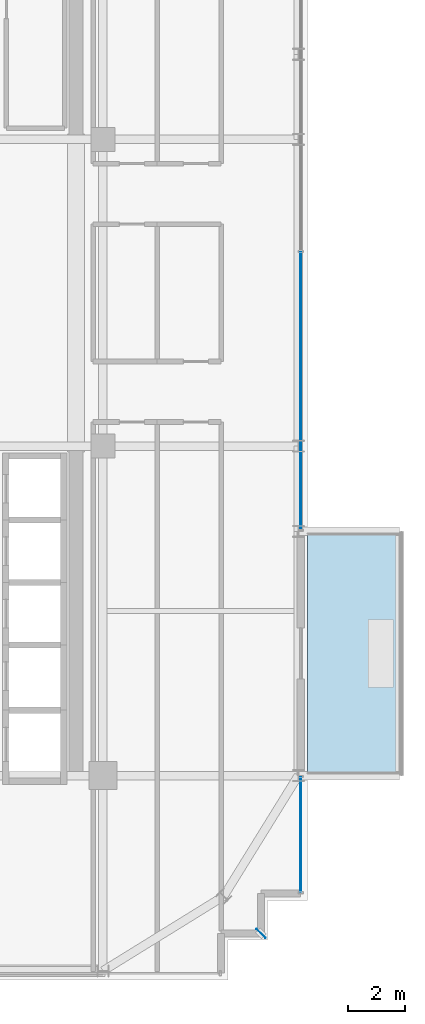
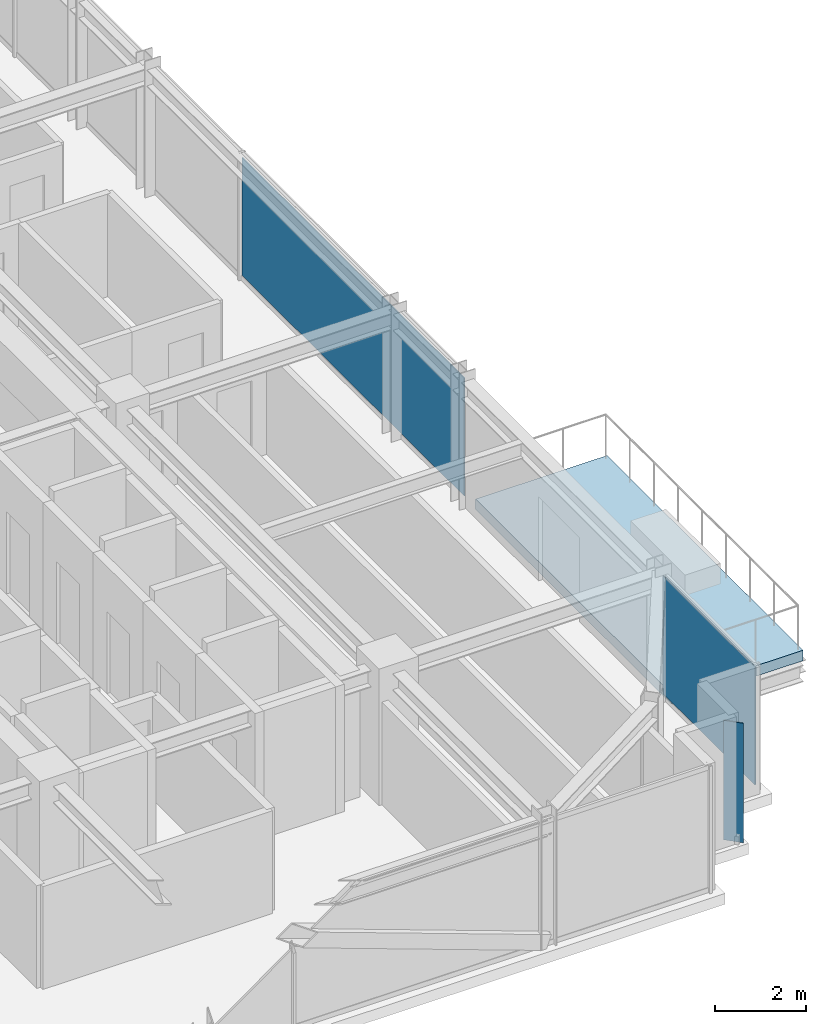
# One storey, part 31 of 43: 3 plates, 1 slab, 2 elements without a shape of their own.
"""IFC4 building model written with IfcOpenShell, lengths in metres."""

import ifcopenshell
import ifcopenshell.guid

model = None  # the IFC model being written
_history = None  # IfcOwnerHistory: only IFC2X3 demands one
_inside = {}  # id of a spatial element -> (the spatial element, [elements in it])
_under = {}  # id of a project, library or spatial element -> (it, [spatial elements below it])
_declared = {}  # id of a project -> (the project, [libraries it declares])
_typed = {}  # id of a type object -> (the type object, [elements of that type])
_made_of = {}  # id of a material, layer set ... -> (it, [elements and type objects made of it])


def new_model(schema):
    """Start an empty IFC model of exactly this schema.

    Asked for "IFC4X3", IfcOpenShell would pick the latest addendum, in which some entities
    have other attributes; the version numbers below select the first issue.
    IFC2X3 requires an IfcOwnerHistory on every rooted entity: one is made here for all.
    """
    global model, _history
    if schema == "IFC4X3":
        model = ifcopenshell.file(schema_version=(4, 3, 0, 0))
    else:
        model = ifcopenshell.file(schema=schema)
    _inside.clear()
    _under.clear()
    _declared.clear()
    _typed.clear()
    _made_of.clear()
    _history = None
    if model.schema == "IFC2X3":
        org = make("IfcOrganization", Name="unknown")
        user = make(
            "IfcPersonAndOrganization",
            ThePerson=make("IfcPerson", FamilyName="unknown"),
            TheOrganization=org,
        )
        app = make(
            "IfcApplication",
            ApplicationDeveloper=org,
            Version="unknown",
            ApplicationFullName="unknown",
            ApplicationIdentifier="unknown",
        )
        _history = make(
            "IfcOwnerHistory",
            OwningUser=user,
            OwningApplication=app,
            ChangeAction="ADDED",
            CreationDate=0,
        )
    return model


def make(cls, **values):
    """One entity of the class cls with the attributes given. An attribute that is None is left unset."""
    return model.create_entity(
        cls, **{name: value for name, value in values.items() if value is not None}
    )


def rooted(cls, **values):
    """An entity with a GlobalId (a new one), such as an element, a storey or a relation."""
    return make(cls, GlobalId=ifcopenshell.guid.new(), OwnerHistory=_history, **values)


def si_unit(unit_type, name, prefix=None):
    """IfcSIUnit, for example si_unit("LENGTHUNIT", "METRE", prefix="MILLI")."""
    return make("IfcSIUnit", UnitType=unit_type, Prefix=prefix, Name=name)


def assignment(units):
    """IfcUnitAssignment: the units of a project."""
    return None if units is None else make("IfcUnitAssignment", Units=units)


def point(xyz):
    """IfcCartesianPoint."""
    return None if xyz is None else make("IfcCartesianPoint", Coordinates=xyz)


def direction(xyz):
    """IfcDirection."""
    return None if xyz is None else make("IfcDirection", DirectionRatios=xyz)


def frame(location, z_axis=None, x_axis=None):
    """IfcAxis2Placement3D, a coordinate frame: its origin and axes. An axis left out is left unset."""
    return make(
        "IfcAxis2Placement3D",
        Location=point(location),
        Axis=direction(z_axis),
        RefDirection=direction(x_axis),
    )


def frame_2d(location, x_axis=None):
    """IfcAxis2Placement2D, a coordinate frame in the plane: its origin and x axis."""
    return make(
        "IfcAxis2Placement2D", Location=point(location), RefDirection=direction(x_axis)
    )


def origin():
    """The frame at (0, 0, 0) with its axes left unset."""
    return frame((0.0, 0.0, 0.0))


def origin_2d():
    """The frame at (0, 0) in the plane with its x axis left unset."""
    return frame_2d((0.0, 0.0))


def place(relative_to, where):
    """IfcLocalPlacement: puts the frame where relative to a parent placement (None: the world)."""
    return make(
        "IfcLocalPlacement", PlacementRelTo=relative_to, RelativePlacement=where
    )


def context(
    kind, dimensions, precision=None, world=None, true_north=None, identifier=None
):
    """IfcGeometricRepresentationContext, for example the 3D "Model" context."""
    return make(
        "IfcGeometricRepresentationContext",
        ContextIdentifier=identifier,
        ContextType=kind,
        CoordinateSpaceDimension=dimensions,
        Precision=precision,
        WorldCoordinateSystem=world,
        TrueNorth=true_north,
    )


def subcontext(parent, identifier, kind, view, scale=None):
    """IfcGeometricRepresentationSubContext, for example "Body" below "Model"."""
    return make(
        "IfcGeometricRepresentationSubContext",
        ContextIdentifier=identifier,
        ContextType=kind,
        ParentContext=parent,
        TargetScale=scale,
        TargetView=view,
    )


def project(units=None, contexts=None):
    """IfcProject with its units and contexts."""
    return rooted(
        "IfcProject",
        Name="project",
        RepresentationContexts=contexts,
        UnitsInContext=assignment(units),
    )


def spatial(cls, under=None, at=None, **own):
    """A site, building, storey or space (cls), placed at a placement, below another one or the project."""
    s = rooted(cls, ObjectPlacement=at, **own)
    if under is not None:
        _under.setdefault(under.id(), (under, []))[1].append(s)
    return s


def polyline(points):
    """IfcPolyline through the points."""
    return make("IfcPolyline", Points=[point(p) for p in points])


def profile(cls, at=None, kind="AREA", **sizes):
    """A parametric profile (cls). Its sizes go by their IFC names, for example OverallWidth=200.0."""
    return make(cls, ProfileType=kind, Position=at, **sizes)


def rectangle(**sizes):
    """IfcRectangleProfileDef."""
    return profile("IfcRectangleProfileDef", **sizes)


def outline(outer, holes=None, kind="AREA"):
    """IfcArbitraryClosedProfileDef: a profile drawn as a closed curve; with holes, ...WithVoids."""
    if holes is None:
        return make("IfcArbitraryClosedProfileDef", ProfileType=kind, OuterCurve=outer)
    return make(
        "IfcArbitraryProfileDefWithVoids",
        ProfileType=kind,
        OuterCurve=outer,
        InnerCurves=holes,
    )


def extrude(swept, where, along, depth):
    """IfcExtrudedAreaSolid: the profile swept, set in the frame where, extruded along a direction by depth."""
    return make(
        "IfcExtrudedAreaSolid",
        SweptArea=swept,
        Position=where,
        ExtrudedDirection=direction(along),
        Depth=depth,
    )


def shape(context_of_items, identifier, shape_type, items):
    """IfcShapeRepresentation: the items that make up one representation, for example the "Body"."""
    return make(
        "IfcShapeRepresentation",
        ContextOfItems=context_of_items,
        RepresentationIdentifier=identifier,
        RepresentationType=shape_type,
        Items=items,
    )


def source(mapping_origin, context_of_items, identifier, shape_type, items):
    """IfcRepresentationMap: a shape defined once, which mapped items show again and again."""
    return make(
        "IfcRepresentationMap",
        MappingOrigin=mapping_origin,
        MappedRepresentation=shape(context_of_items, identifier, shape_type, items),
    )


def transform(
    local_origin,
    x_axis=None,
    y_axis=None,
    z_axis=None,
    scale=None,
    scale2=None,
    scale3=None,
    uniform=True,
):
    """IfcCartesianTransformationOperator3D, or its non-uniform kind. x_axis, y_axis, z_axis: its Axis1, 2, 3."""
    if uniform:
        return make(
            "IfcCartesianTransformationOperator3D",
            Axis1=direction(x_axis),
            Axis2=direction(y_axis),
            LocalOrigin=point(local_origin),
            Scale=scale,
            Axis3=direction(z_axis),
        )
    return make(
        "IfcCartesianTransformationOperator3DnonUniform",
        Axis1=direction(x_axis),
        Axis2=direction(y_axis),
        LocalOrigin=point(local_origin),
        Scale=scale,
        Axis3=direction(z_axis),
        Scale2=scale2,
        Scale3=scale3,
    )


def mapped(mapping_source, mapping_target):
    """IfcMappedItem: shows the shape of a source again, moved by a transform."""
    return make(
        "IfcMappedItem", MappingSource=mapping_source, MappingTarget=mapping_target
    )


def material(Name=None, Category=None):
    """IfcMaterial."""
    return make("IfcMaterial", Name=Name, Category=Category)


def layer(
    of_material, thickness, ventilated=None, Name=None, Category=None, Priority=None
):
    """IfcMaterialLayer: one layer of a wall or slab, of a material (None: an air gap)."""
    return make(
        "IfcMaterialLayer",
        Material=of_material,
        LayerThickness=thickness,
        IsVentilated=ventilated,
        Name=Name,
        Category=Category,
        Priority=Priority,
    )


def layer_set(layers, Name=None):
    """IfcMaterialLayerSet."""
    return make("IfcMaterialLayerSet", MaterialLayers=layers, LayerSetName=Name)


def made_of(thing, what):
    """Note that an element or type object is made of a material, layer set ...; save() writes the relation."""
    if what is not None:
        _made_of.setdefault(what.id(), (what, []))[1].append(thing)
    return thing


def type_object(cls, material=None, **own):
    """A type object (cls), such as IfcWallType, which elements share."""
    return made_of(rooted(cls, **own), material)


def element(
    cls,
    number,
    at=None,
    inside=None,
    cuts=None,
    type_object=None,
    material=None,
    context=None,
    identifier="Body",
    shape_type=None,
    held_by="IfcProductDefinitionShape",
    body=None,
    shapes=None,
    **own,
):
    """One element of the class cls, such as IfcWall. Its Tag is "e" and its number.

    at: its placement. inside: the storey or other place that contains it. cuts: it is an
    opening in that element (IfcRelVoidsElement). A single representation is given by context,
    identifier, shape_type and body (its items); several are given by shapes. held_by: the class
    of the entity that holds the representations. save() writes the other relations.
    """
    e = rooted(cls, Tag="e%d" % number, ObjectPlacement=at, **own)
    if body is not None:
        shapes = [shape(context, identifier, shape_type, body)]
    if shapes is not None:
        e.Representation = make(held_by, Representations=shapes)
    if inside is not None:
        _inside.setdefault(inside.id(), (inside, []))[1].append(e)
    if cuts is not None:
        rooted(
            "IfcRelVoidsElement", RelatingBuildingElement=cuts, RelatedOpeningElement=e
        )
    if type_object is not None:
        _typed.setdefault(type_object.id(), (type_object, []))[1].append(e)
    return made_of(e, material)


def aggregate(whole, parts):
    """IfcRelAggregates: a whole, such as a stair, and the parts it consists of."""
    return rooted("IfcRelAggregates", RelatingObject=whole, RelatedObjects=parts)


def save(model, path):
    """Write the relations noted so far, then the file.

    IfcRelAggregates (storeys below a building ...), IfcRelContainedInSpatialStructure (elements
    in a storey), IfcRelDefinesByType, IfcRelAssociatesMaterial and IfcRelDeclares: one each for
    every whole, place, type object, material and project.
    """
    for whole, parts in _under.values():
        aggregate(whole, parts)
    for where, things in _inside.values():
        rooted(
            "IfcRelContainedInSpatialStructure",
            RelatedElements=things,
            RelatingStructure=where,
        )
    for kind, things in _typed.values():
        rooted("IfcRelDefinesByType", RelatedObjects=things, RelatingType=kind)
    for what, things in _made_of.values():
        rooted("IfcRelAssociatesMaterial", RelatedObjects=things, RelatingMaterial=what)
    for by, libraries in _declared.values():
        rooted("IfcRelDeclares", RelatingContext=by, RelatedDefinitions=libraries)
    model.write(path)


model = new_model("IFC4")

# Units and contexts
model_context = context("Model", 3, precision=1e-05, world=origin(), true_north=direction((0.0, 1.0)))
body_context = subcontext(model_context, "Body", "Model", "MODEL_VIEW")
ifc_project = project(units=[si_unit("LENGTHUNIT", "METRE"), si_unit("AREAUNIT", "SQUARE_METRE"), si_unit("VOLUMEUNIT", "CUBIC_METRE"), si_unit("PLANEANGLEUNIT", "RADIAN"), si_unit("MASSUNIT", "GRAM", prefix="KILO")], contexts=[model_context])

# Site, building, storey
site_placement = place(None, origin())
site = spatial("IfcSite", under=ifc_project, at=site_placement, CompositionType="ELEMENT")
building_placement = place(site_placement, origin())
building = spatial("IfcBuilding", under=site, at=building_placement, Name="Nahalor Promenade Grand Hotel", CompositionType="ELEMENT")
storey_placement = place(building_placement, frame((0.0, 0.0, 204.89990234375)))
storey = spatial("IfcBuildingStorey", under=building, at=storey_placement, Name="L52", CompositionType="ELEMENT", Elevation=204.89990234375)

# Slab
ifc_material_1 = material(Name="Concrete B-50 (C40/50)", Category="concrete")
ifc_layer_1 = layer(ifc_material_1, 0.280029296875)
ifc_layer_set_1 = layer_set([ifc_layer_1], Name="Concrete B-50 (C40/50)")
slab_type = type_object("IfcSlabType", Name="Slab-Balcony-280", PredefinedType="FLOOR", material=ifc_layer_set_1)
slab_placement = place(storey_placement, frame((0.0, 0.0, -0.27978515625)))
element("IfcSlab", 1, at=slab_placement, inside=storey, type_object=slab_type, Name="L52 Cantilevered Planted Balcony 2", PredefinedType="FLOOR", context=body_context, shape_type="SweptSolid", body=[
    extrude(outline(polyline([(24.199951171875, -17.0), (27.530029296875, -17.0), (27.530029296875, -8.39990234375), (24.199951171875, -8.39990234375), (24.199951171875, -17.0)])), origin(), (0.0, 0.0, 1.0), 0.27978515625),
])

# Plate
ifc_material_2 = material(Name="Anodised Bronze Aluminium EN AW-6063 T6", Category="aluminium")
ifc_layer_2 = layer(ifc_material_2, 0.02001953125)
ifc_layer_set_2 = layer_set([ifc_layer_2], Name="Anodised Bronze Aluminium EN AW-6063 T6")
plate_type_1 = type_object("IfcPlateType", Name="Plate-CornerFin-20", PredefinedType="SHEET", material=ifc_layer_set_2)
shared_shape_1 = source(origin(), body_context, "Body", "SweptSolid", [
    extrude(rectangle(XDim=0.449951171875, YDim=0.02001953125, at=origin_2d()), origin(), (0.0, 0.0, 1.0), 3.199951171875),
])
plate_1_placement = place(storey_placement, frame((22.56005859375, -22.56005859375, 0.0), z_axis=(0.0, 0.0, 1.0), x_axis=(-0.707106781187, 0.707106781187, 0.0)))
element("IfcPlate", 2, at=plate_1_placement, inside=storey, type_object=plate_type_1, Name="FIN-L52-SE", PredefinedType="SHEET", context=body_context, shape_type="MappedRepresentation", body=[
    mapped(shared_shape_1, transform((0.0, 0.0, 0.0), scale=1.0)),
])

# Curtain wall, plate
curtain_wall_type = type_object("IfcCurtainWallType", Name="CW2 Typical Hotel Flush Bronze Unitised Curtain Wall", PredefinedType="USERDEFINED", material=ifc_material_2)
curtain_wall_1_placement = place(storey_placement, origin())
curtain_wall_1 = element("IfcCurtainWall", 3, at=curtain_wall_1_placement, inside=storey, type_object=curtain_wall_type, Name="L52 Curtain Wall CW-L52-E-1", ObjectType="UNITISED_CURTAIN_WALL", PredefinedType="USERDEFINED")
ifc_material_3 = material(Name="Low-E Laminated Solar Glass", Category="glass")
ifc_layer_3 = layer(ifc_material_3, 0.028076171875)
ifc_layer_set_3 = layer_set([ifc_layer_3], Name="Low-E Laminated Solar Glass")
plate_type_2 = type_object("IfcPlateType", Name="CWP2 Bronze Low-E Vision IGU 28mm", PredefinedType="CURTAIN_PANEL", material=ifc_layer_set_3)
shared_shape_2 = source(origin(), body_context, "Body", "SweptSolid", [
    extrude(rectangle(XDim=4.030029296875, YDim=0.028076171875, at=origin_2d()), origin(), (0.0, 0.0, 1.0), 3.14990234375),
])
plate_2_placement = place(storey_placement, frame((23.9599609375, -19.080078125, 0.130126953125), z_axis=(0.0, 0.0, 1.0), x_axis=(0.0, 1.0, 0.0)))
plate_2 = element("IfcPlate", 4, at=plate_2_placement, type_object=plate_type_2, Name="CW-L52-E-1 Glazing Panel 0-0", PredefinedType="CURTAIN_PANEL", context=body_context, shape_type="MappedRepresentation", body=[
    mapped(shared_shape_2, transform((0.0, 0.0, 0.0), scale=1.0)),
])
aggregate(curtain_wall_1, [plate_2])

curtain_wall_2_placement = place(storey_placement, origin())
curtain_wall_2 = element("IfcCurtainWall", 5, at=curtain_wall_2_placement, inside=storey, type_object=curtain_wall_type, Name="L52 Curtain Wall CW-L52-E-3", ObjectType="UNITISED_CURTAIN_WALL", PredefinedType="USERDEFINED")
shared_shape_3 = source(origin(), body_context, "Body", "SweptSolid", [
    extrude(rectangle(XDim=9.755859375, YDim=0.028076171875, at=origin_2d()), origin(), (0.0, 0.0, 1.0), 3.14990234375),
])
plate_3_placement = place(storey_placement, frame((23.9599609375, -3.45703125, 0.130126953125), z_axis=(0.0, 0.0, 1.0), x_axis=(0.0, 1.0, 0.0)))
plate_3 = element("IfcPlate", 6, at=plate_3_placement, type_object=plate_type_2, Name="CW-L52-E-3 Glazing Panel 0-0", PredefinedType="CURTAIN_PANEL", context=body_context, shape_type="MappedRepresentation", body=[
    mapped(shared_shape_3, transform((0.0, 0.0, 0.0), scale=1.0)),
])
aggregate(curtain_wall_2, [plate_3])

save(model, "model.ifc")
